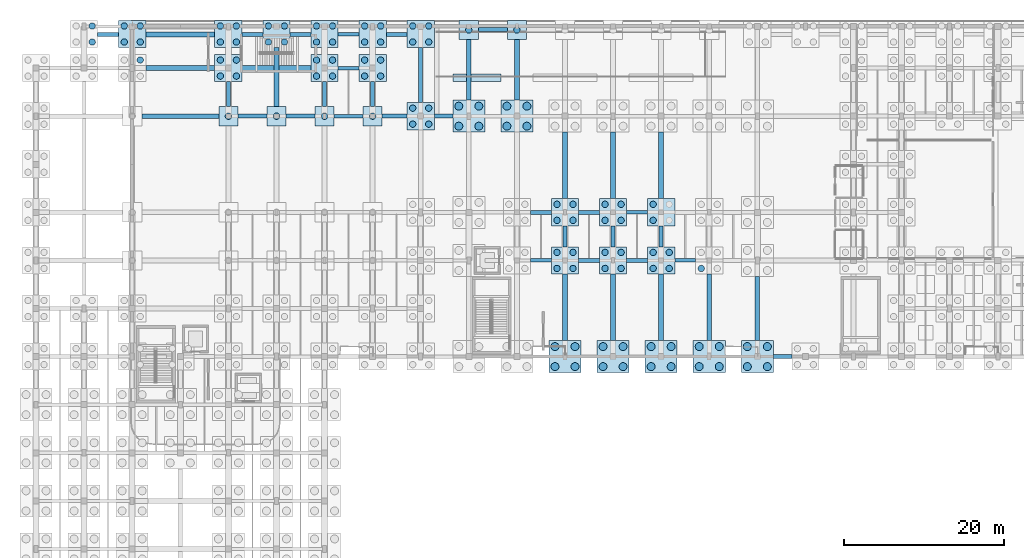
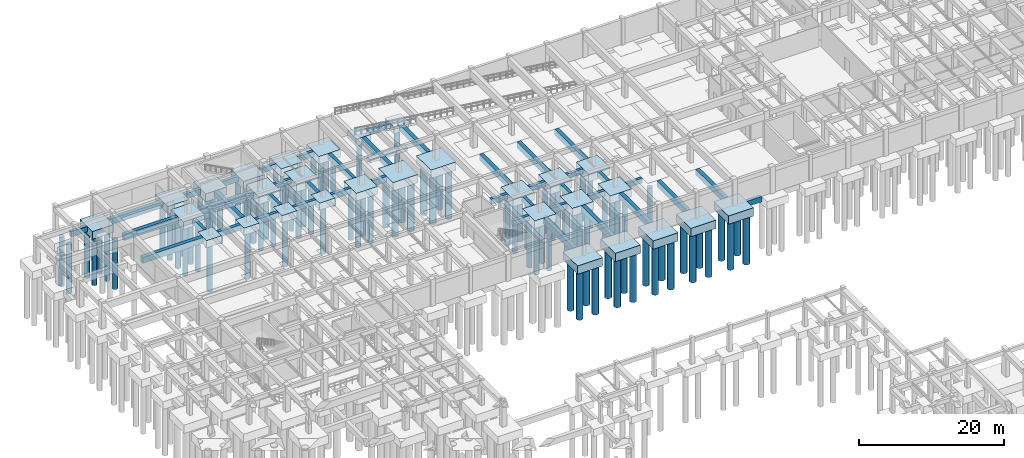
# One storey, part 6 of 32: 100 piles, 72 footings.
"""IFC4 building model written with IfcOpenShell, lengths in metres."""

from ifc_helpers import new_model, si_unit, direction, frame, origin, origin_2d, place, context, subcontext, project, spatial, rectangle, circle, extrude, material, material_profile, profile_set, type_object, element, save


model = new_model("IFC4")

# Units and contexts
model_context = context("Model", 3, precision=1e-05, world=origin(), true_north=direction((0.0, 1.0)))
body_context = subcontext(model_context, "Body", "Model", "MODEL_VIEW")
ifc_project = project(units=[si_unit("LENGTHUNIT", "METRE"), si_unit("AREAUNIT", "SQUARE_METRE"), si_unit("VOLUMEUNIT", "CUBIC_METRE"), si_unit("PLANEANGLEUNIT", "RADIAN"), si_unit("MASSUNIT", "GRAM", prefix="KILO")], contexts=[model_context])

# Site, building, storey
site_placement = place(None, origin())
site = spatial("IfcSite", under=ifc_project, at=site_placement, CompositionType="ELEMENT")
building_placement = place(site_placement, origin())
building = spatial("IfcBuilding", under=site, at=building_placement, Name="Varnakota Square Police Headquarters", CompositionType="ELEMENT")
storey_placement = place(building_placement, frame((0.0, 0.0, -4.5)))
storey = spatial("IfcBuildingStorey", under=building, at=storey_placement, Name="B1", CompositionType="ELEMENT", Elevation=-4.5)

# Footings
ifc_material_1 = material(Name="Concrete M40", Category="concrete")
ifc_material_profile_1 = material_profile(ifc_material_1, rectangle(XDim=0.5, YDim=0.89990234375, at=origin_2d()), Name="GB 500x900")
ifc_profile_set_1 = profile_set([ifc_material_profile_1], Name="Concrete M40")
footing_type_1 = type_object("IfcFootingType", Name="FT-GB1", PredefinedType="FOOTING_BEAM", material=ifc_profile_set_1)
footing_1_placement = place(storey_placement, frame((98.0, 69.0, -0.449951171875), z_axis=(1.0, 0.0, 0.0), x_axis=(0.0, 1.0, 0.0)))
element("IfcFooting", 1, at=footing_1_placement, inside=storey, type_object=footing_type_1, Name="Ground tie beam GB-0067", PredefinedType="FOOTING_BEAM", context=body_context, shape_type="SweptSolid", body=[
    extrude(rectangle(XDim=0.5, YDim=0.89990234375, at=origin_2d()), origin(), (0.0, 0.0, 1.0), 2.300048828125),
])
for number, where, z_axis, x_axis, name in (
    (2, (73.699951171875, 81.0, -0.449951171875), (1.0, 0.0, 0.0), (0.0, 1.0, 0.0), "Ground tie beam GB-0100"),
    (3, (79.699951171875, 81.0, -0.449951171875), (1.0, 0.0, 0.0), (0.0, 1.0, 0.0), "Ground tie beam GB-0101"),
    (4, (67.699951171875, 87.0, -0.449951171875), (1.0, 0.0, 0.0), (0.0, 1.0, 0.0), "Ground tie beam GB-0121"),
    (5, (73.699951171875, 87.0, -0.449951171875), (1.0, 0.0, 0.0), (0.0, 1.0, 0.0), "Ground tie beam GB-0122"),
):
    element("IfcFooting", number, at=place(storey_placement, frame(where, z_axis=z_axis, x_axis=x_axis)), inside=storey, type_object=footing_type_1, Name=name, PredefinedType="FOOTING_BEAM", context=body_context, shape_type="SweptSolid", body=[
        extrude(rectangle(XDim=0.5, YDim=0.89990234375, at=origin_2d()), origin(), (0.0, 0.0, 1.0), 2.60009765625),
    ])
for number, where, z_axis, x_axis, name in (
    (6, (31.199951171875, 99.0, -0.449951171875), (1.0, 0.0, 0.0), (0.0, 1.0, 0.0), "Ground tie beam GB-0139"),
    (7, (37.199951171875, 99.0, -0.449951171875), (1.0, 0.0, 0.0), (0.0, 1.0, 0.0), "Ground tie beam GB-0140"),
):
    element("IfcFooting", number, at=place(storey_placement, frame(where, z_axis=z_axis, x_axis=x_axis)), inside=storey, type_object=footing_type_1, Name=name, PredefinedType="FOOTING_BEAM", context=body_context, shape_type="SweptSolid", body=[
        extrude(rectangle(XDim=0.5, YDim=0.89990234375, at=origin_2d()), origin(), (0.0, 0.0, 1.0), 3.60009765625),
    ])
footing_2_placement = place(storey_placement, frame((49.199951171875, 99.0, -0.449951171875), z_axis=(1.0, 0.0, 0.0), x_axis=(0.0, 1.0, 0.0)))
element("IfcFooting", 8, at=footing_2_placement, inside=storey, type_object=footing_type_1, Name="Ground tie beam GB-0142", PredefinedType="FOOTING_BEAM", context=body_context, shape_type="SweptSolid", body=[
    extrude(rectangle(XDim=0.5, YDim=0.89990234375, at=origin_2d()), origin(), (0.0, 0.0, 1.0), 3.10009765625),
])
footing_3_placement = place(storey_placement, frame((55.699951171875, 99.0, -0.449951171875), z_axis=(1.0, 0.0, 0.0), x_axis=(0.0, 1.0, 0.0)))
element("IfcFooting", 9, at=footing_3_placement, inside=storey, type_object=footing_type_1, Name="Ground tie beam GB-0143", PredefinedType="FOOTING_BEAM", context=body_context, shape_type="SweptSolid", body=[
    extrude(rectangle(XDim=0.5, YDim=0.89990234375, at=origin_2d()), origin(), (0.0, 0.0, 1.0), 2.300048828125),
])
for number, where, z_axis, x_axis, name in (
    (10, (13.699951171875, 109.199951171875, -0.449951171875), (1.0, 0.0, 0.0), (0.0, 1.0, 0.0), "Ground tie beam GB-0164"),
    (11, (31.699951171875, 109.199951171875, -0.449951171875), (1.0, 0.0, 0.0), (0.0, 1.0, 0.0), "Ground tie beam GB-0166"),
    (12, (37.699951171875, 109.199951171875, -0.449951171875), (1.0, 0.0, 0.0), (0.0, 1.0, 0.0), "Ground tie beam GB-0167"),
    (13, (49.699951171875, 109.199951171875, -0.449951171875), (1.0, 0.0, 0.0), (0.0, 1.0, 0.0), "Ground tie beam GB-0169"),
):
    element("IfcFooting", number, at=place(storey_placement, frame(where, z_axis=z_axis, x_axis=x_axis)), inside=storey, type_object=footing_type_1, Name=name, PredefinedType="FOOTING_BEAM", context=body_context, shape_type="SweptSolid", body=[
        extrude(rectangle(XDim=0.5, YDim=0.89990234375, at=origin_2d()), origin(), (0.0, 0.0, 1.0), 2.60009765625),
    ])
footing_4_placement = place(storey_placement, frame((61.199951171875, 109.800048828125, -0.449951171875), z_axis=(1.0, 0.0, 0.0), x_axis=(0.0, 1.0, 0.0)))
element("IfcFooting", 14, at=footing_4_placement, inside=storey, type_object=footing_type_1, Name="Ground tie beam GB-0178", PredefinedType="FOOTING_BEAM", context=body_context, shape_type="SweptSolid", body=[
    extrude(rectangle(XDim=0.5, YDim=0.89990234375, at=origin_2d()), origin(), (0.0, 0.0, 1.0), 3.60009765625),
])
for number, where, z_axis, x_axis, name in (
    (15, (30.0, 100.199951171875, -0.449951171875), (0.0, 1.0, 0.0), (-1.0, 0.0, 0.0), "Ground tie beam GB-0217"),
    (16, (42.0, 100.199951171875, -0.449951171875), (0.0, 1.0, 0.0), (-1.0, 0.0, 0.0), "Ground tie beam GB-0235"),
    (17, (48.0, 100.199951171875, -0.449951171875), (0.0, 1.0, 0.0), (-1.0, 0.0, 0.0), "Ground tie beam GB-0243"),
):
    element("IfcFooting", number, at=place(storey_placement, frame(where, z_axis=z_axis, x_axis=x_axis)), inside=storey, type_object=footing_type_1, Name=name, PredefinedType="FOOTING_BEAM", context=body_context, shape_type="SweptSolid", body=[
        extrude(rectangle(XDim=0.5, YDim=0.89990234375, at=origin_2d()), origin(), (0.0, 0.0, 1.0), 3.10009765625),
    ])
footing_5_placement = place(storey_placement, frame((54.0, 100.699951171875, -0.449951171875), z_axis=(0.0, 1.0, 0.0), x_axis=(-1.0, 0.0, 0.0)))
element("IfcFooting", 18, at=footing_5_placement, inside=storey, type_object=footing_type_1, Name="Ground tie beam GB-0254", PredefinedType="FOOTING_BEAM", context=body_context, shape_type="SweptSolid", body=[
    extrude(rectangle(XDim=0.5, YDim=0.89990234375, at=origin_2d()), origin(), (0.0, 0.0, 1.0), 6.85009765625),
])
for number, where, z_axis, x_axis, name in (
    (19, (72.0, 82.699951171875, -0.449951171875), (0.0, 1.0, 0.0), (-1.0, 0.0, 0.0), "Ground tie beam GB-0268"),
    (20, (78.0, 82.699951171875, -0.449951171875), (0.0, 1.0, 0.0), (-1.0, 0.0, 0.0), "Ground tie beam GB-0273"),
    (21, (84.0, 82.699951171875, -0.449951171875), (0.0, 1.0, 0.0), (-1.0, 0.0, 0.0), "Ground tie beam GB-0278"),
):
    element("IfcFooting", number, at=place(storey_placement, frame(where, z_axis=z_axis, x_axis=x_axis)), inside=storey, type_object=footing_type_1, Name=name, PredefinedType="FOOTING_BEAM", context=body_context, shape_type="SweptSolid", body=[
        extrude(rectangle(XDim=0.5, YDim=0.89990234375, at=origin_2d()), origin(), (0.0, 0.0, 1.0), 2.60009765625),
    ])
ifc_material_profile_2 = material_profile(ifc_material_1, rectangle(XDim=0.60009765625, YDim=1.0, at=origin_2d()), Name="GB 600x1000")
ifc_profile_set_2 = profile_set([ifc_material_profile_2], Name="Concrete M40")
footing_type_2 = type_object("IfcFootingType", Name="FT-GB2", PredefinedType="FOOTING_BEAM", material=ifc_profile_set_2)
footing_6_placement = place(storey_placement, frame((19.199951171875, 99.0, -0.5), z_axis=(1.0, 0.0, 0.0), x_axis=(0.0, 1.0, 0.0)))
element("IfcFooting", 22, at=footing_6_placement, inside=storey, type_object=footing_type_2, Name="Ground tie beam GB-0138", PredefinedType="FOOTING_BEAM", context=body_context, shape_type="SweptSolid", body=[
    extrude(rectangle(XDim=0.60009765625, YDim=1.0, at=origin_2d()), origin(), (0.0, 0.0, 1.0), 9.60009765625),
])
for number, where, z_axis, x_axis, name in (
    (23, (19.699951171875, 105.0, -0.5), (1.0, 0.0, 0.0), (0.0, 1.0, 0.0), "Ground tie beam GB-0154"),
    (24, (31.699951171875, 105.0, -0.5), (1.0, 0.0, 0.0), (0.0, 1.0, 0.0), "Ground tie beam GB-0155"),
    (25, (19.699951171875, 109.199951171875, -0.5), (1.0, 0.0, 0.0), (0.0, 1.0, 0.0), "Ground tie beam GB-0165"),
):
    element("IfcFooting", number, at=place(storey_placement, frame(where, z_axis=z_axis, x_axis=x_axis)), inside=storey, type_object=footing_type_2, Name=name, PredefinedType="FOOTING_BEAM", context=body_context, shape_type="SweptSolid", body=[
        extrude(rectangle(XDim=0.60009765625, YDim=1.0, at=origin_2d()), origin(), (0.0, 0.0, 1.0), 8.60009765625),
    ])
footing_7_placement = place(storey_placement, frame((36.0, 100.199951171875, -0.5), z_axis=(0.0, 1.0, 0.0), x_axis=(-1.0, 0.0, 0.0)))
element("IfcFooting", 26, at=footing_7_placement, inside=storey, type_object=footing_type_2, Name="Ground tie beam GB-0226", PredefinedType="FOOTING_BEAM", context=body_context, shape_type="SweptSolid", body=[
    extrude(rectangle(XDim=0.60009765625, YDim=1.0, at=origin_2d()), origin(), (0.0, 0.0, 1.0), 7.35009765625),
])
for number, where, z_axis, x_axis, name in (
    (27, (60.0, 101.0, -0.5), (0.0, 1.0, 0.0), (-1.0, 0.0, 0.0), "Ground tie beam GB-0260"),
    (28, (66.0, 101.0, -0.5), (0.0, 1.0, 0.0), (-1.0, 0.0, 0.0), "Ground tie beam GB-0265"),
):
    element("IfcFooting", number, at=place(storey_placement, frame(where, z_axis=z_axis, x_axis=x_axis)), inside=storey, type_object=footing_type_2, Name=name, PredefinedType="FOOTING_BEAM", context=body_context, shape_type="SweptSolid", body=[
        extrude(rectangle(XDim=0.60009765625, YDim=1.0, at=origin_2d()), origin(), (0.0, 0.0, 1.0), 7.550048828125),
    ])
for number, where, z_axis, x_axis, name in (
    (29, (72.0, 71.0, -0.5), (0.0, 1.0, 0.0), (-1.0, 0.0, 0.0), "Ground tie beam GB-0267"),
    (30, (72.0, 88.699951171875, -0.5), (0.0, 1.0, 0.0), (-1.0, 0.0, 0.0), "Ground tie beam GB-0269"),
    (31, (78.0, 71.0, -0.5), (0.0, 1.0, 0.0), (-1.0, 0.0, 0.0), "Ground tie beam GB-0272"),
    (32, (78.0, 88.699951171875, -0.5), (0.0, 1.0, 0.0), (-1.0, 0.0, 0.0), "Ground tie beam GB-0274"),
    (33, (84.0, 71.0, -0.5), (0.0, 1.0, 0.0), (-1.0, 0.0, 0.0), "Ground tie beam GB-0277"),
    (34, (84.0, 88.699951171875, -0.5), (0.0, 1.0, 0.0), (-1.0, 0.0, 0.0), "Ground tie beam GB-0279"),
    (35, (90.0, 71.0, -0.5), (0.0, 1.0, 0.0), (-1.0, 0.0, 0.0), "Ground tie beam GB-0284"),
):
    element("IfcFooting", number, at=place(storey_placement, frame(where, z_axis=z_axis, x_axis=x_axis)), inside=storey, type_object=footing_type_2, Name=name, PredefinedType="FOOTING_BEAM", context=body_context, shape_type="SweptSolid", body=[
        extrude(rectangle(XDim=0.60009765625, YDim=1.0, at=origin_2d()), origin(), (0.0, 0.0, 1.0), 8.300048828125),
    ])
footing_8_placement = place(storey_placement, frame((96.0, 71.0, -0.5), z_axis=(0.0, 1.0, 0.0), x_axis=(-1.0, 0.0, 0.0)))
element("IfcFooting", 36, at=footing_8_placement, inside=storey, type_object=footing_type_2, Name="Ground tie beam GB-0294", PredefinedType="FOOTING_BEAM", context=body_context, shape_type="SweptSolid", body=[
    extrude(rectangle(XDim=0.60009765625, YDim=1.0, at=origin_2d()), origin(), (0.0, 0.0, 1.0), 8.0),
])
ifc_material_profile_3 = material_profile(ifc_material_1, rectangle(XDim=0.449951171875, YDim=0.800048828125, at=origin_2d()), Name="GB 450x800")
ifc_profile_set_3 = profile_set([ifc_material_profile_3], Name="Concrete M40")
footing_type_3 = type_object("IfcFootingType", Name="FT-GB3", PredefinedType="FOOTING_BEAM", material=ifc_profile_set_3)
for number, where, z_axis, x_axis, name in (
    (37, (67.699951171875, 81.0, -0.39990234375), (1.0, 0.0, 0.0), (0.0, 1.0, 0.0), "Ground tie beam GB-0099"),
    (38, (85.699951171875, 81.0, -0.39990234375), (1.0, 0.0, 0.0), (0.0, 1.0, 0.0), "Ground tie beam GB-0102"),
    (39, (79.699951171875, 87.0, -0.39990234375), (1.0, 0.0, 0.0), (0.0, 1.0, 0.0), "Ground tie beam GB-0123"),
):
    element("IfcFooting", number, at=place(storey_placement, frame(where, z_axis=z_axis, x_axis=x_axis)), inside=storey, type_object=footing_type_3, Name=name, PredefinedType="FOOTING_BEAM", context=body_context, shape_type="SweptSolid", body=[
        extrude(rectangle(XDim=0.449951171875, YDim=0.800048828125, at=origin_2d()), origin(), (0.0, 0.0, 1.0), 2.60009765625),
    ])
footing_9_placement = place(storey_placement, frame((43.199951171875, 99.0, -0.39990234375), z_axis=(1.0, 0.0, 0.0), x_axis=(0.0, 1.0, 0.0)))
element("IfcFooting", 40, at=footing_9_placement, inside=storey, type_object=footing_type_3, Name="Ground tie beam GB-0141", PredefinedType="FOOTING_BEAM", context=body_context, shape_type="SweptSolid", body=[
    extrude(rectangle(XDim=0.449951171875, YDim=0.800048828125, at=origin_2d()), origin(), (0.0, 0.0, 1.0), 3.60009765625),
])
for number, where, z_axis, x_axis, name in (
    (41, (43.699951171875, 105.0, -0.39990234375), (1.0, 0.0, 0.0), (0.0, 1.0, 0.0), "Ground tie beam GB-0156"),
    (42, (43.699951171875, 109.199951171875, -0.39990234375), (1.0, 0.0, 0.0), (0.0, 1.0, 0.0), "Ground tie beam GB-0168"),
):
    element("IfcFooting", number, at=place(storey_placement, frame(where, z_axis=z_axis, x_axis=x_axis)), inside=storey, type_object=footing_type_3, Name=name, PredefinedType="FOOTING_BEAM", context=body_context, shape_type="SweptSolid", body=[
        extrude(rectangle(XDim=0.449951171875, YDim=0.800048828125, at=origin_2d()), origin(), (0.0, 0.0, 1.0), 2.60009765625),
    ])
footing_type_4 = type_object("IfcFootingType", Name="FT-PC1", PredefinedType="PILE_CAP", material=ifc_material_1)
for number, where, z_axis, x_axis, name in (
    (43, (30.0, 99.0, -1.2001953125), (0.0, 0.0, 1.0), (1.0, 0.0, 0.0), "Pile cap CAP-X0300-Y0990"),
    (44, (36.0, 99.0, -1.2001953125), (0.0, 0.0, 1.0), (1.0, 0.0, 0.0), "Pile cap CAP-X0360-Y0990"),
    (45, (42.0, 99.0, -1.2001953125), (0.0, 0.0, 1.0), (1.0, 0.0, 0.0), "Pile cap CAP-X0420-Y0990"),
    (46, (48.0, 99.0, -1.2001953125), (0.0, 0.0, 1.0), (1.0, 0.0, 0.0), "Pile cap CAP-X0480-Y0990"),
    (47, (60.0, 109.75, -1.2001953125), (0.0, 0.0, 1.0), (1.0, 0.0, 0.0), "Pile cap CAP-X0600-Y1102"),
    (48, (66.0, 109.75, -1.2001953125), (0.0, 0.0, 1.0), (1.0, 0.0, 0.0), "Pile cap CAP-X0660-Y1102"),
):
    element("IfcFooting", number, at=place(storey_placement, frame(where, z_axis=z_axis, x_axis=x_axis)), inside=storey, type_object=footing_type_4, Name=name, PredefinedType="PILE_CAP", context=body_context, shape_type="SweptSolid", body=[
        extrude(rectangle(XDim=2.39990234375, YDim=2.39990234375, at=origin_2d()), origin(), (0.0, 0.0, 1.0), 1.199951171875),
    ])
footing_type_5 = type_object("IfcFootingType", Name="FT-PC4", PredefinedType="PILE_CAP", material=ifc_material_1)
for number, where, z_axis, x_axis, name in (
    (49, (18.0, 109.25, -1.2998046875), (0.0, 0.0, 1.0), (1.0, 0.0, 0.0), "Pile cap CAP-X0180-Y1102"),
    (50, (30.0, 105.0, -1.2998046875), (0.0, 0.0, 1.0), (1.0, 0.0, 0.0), "Pile cap CAP-X0300-Y1050"),
    (51, (30.0, 109.25, -1.2998046875), (0.0, 0.0, 1.0), (1.0, 0.0, 0.0), "Pile cap CAP-X0300-Y1102"),
    (52, (36.0, 109.25, -1.2998046875), (0.0, 0.0, 1.0), (1.0, 0.0, 0.0), "Pile cap CAP-X0360-Y1102"),
    (53, (42.0, 105.0, -1.2998046875), (0.0, 0.0, 1.0), (1.0, 0.0, 0.0), "Pile cap CAP-X0420-Y1050"),
    (54, (42.0, 109.25, -1.2998046875), (0.0, 0.0, 1.0), (1.0, 0.0, 0.0), "Pile cap CAP-X0420-Y1102"),
    (55, (48.0, 105.0, -1.2998046875), (0.0, 0.0, 1.0), (1.0, 0.0, 0.0), "Pile cap CAP-X0480-Y1050"),
    (56, (48.0, 109.25, -1.2998046875), (0.0, 0.0, 1.0), (1.0, 0.0, 0.0), "Pile cap CAP-X0480-Y1102"),
    (57, (54.0, 99.0, -1.2998046875), (0.0, 0.0, 1.0), (1.0, 0.0, 0.0), "Pile cap CAP-X0540-Y0990"),
    (58, (54.0, 109.25, -1.2998046875), (0.0, 0.0, 1.0), (1.0, 0.0, 0.0), "Pile cap CAP-X0540-Y1102"),
    (59, (72.0, 81.0, -1.2998046875), (0.0, 0.0, 1.0), (1.0, 0.0, 0.0), "Pile cap CAP-X0720-Y0810"),
    (60, (72.0, 87.0, -1.2998046875), (0.0, 0.0, 1.0), (1.0, 0.0, 0.0), "Pile cap CAP-X0720-Y0870"),
    (61, (78.0, 81.0, -1.2998046875), (0.0, 0.0, 1.0), (1.0, 0.0, 0.0), "Pile cap CAP-X0780-Y0810"),
    (62, (78.0, 87.0, -1.2998046875), (0.0, 0.0, 1.0), (1.0, 0.0, 0.0), "Pile cap CAP-X0780-Y0870"),
    (63, (84.0, 81.0, -1.2998046875), (0.0, 0.0, 1.0), (1.0, 0.0, 0.0), "Pile cap CAP-X0840-Y0810"),
    (64, (84.0, 87.0, -1.2998046875), (0.0, 0.0, 1.0), (1.0, 0.0, 0.0), "Pile cap CAP-X0840-Y0870"),
):
    element("IfcFooting", number, at=place(storey_placement, frame(where, z_axis=z_axis, x_axis=x_axis)), inside=storey, type_object=footing_type_5, Name=name, PredefinedType="PILE_CAP", context=body_context, shape_type="SweptSolid", body=[
        extrude(rectangle(XDim=3.39990234375, YDim=3.39990234375, at=origin_2d()), origin(), (0.0, 0.0, 1.0), 1.300048828125),
    ])
ifc_material_2 = material(Name="Concrete M50", Category="concrete")
footing_type_6 = type_object("IfcFootingType", Name="FT-PC6", PredefinedType="PILE_CAP", material=ifc_material_2)
for number, where, z_axis, x_axis, name in (
    (65, (60.0, 99.0, -1.39990234375), (0.0, 0.0, 1.0), (1.0, 0.0, 0.0), "Pile cap CAP-X0600-Y0990"),
    (66, (66.0, 99.0, -1.39990234375), (0.0, 0.0, 1.0), (1.0, 0.0, 0.0), "Pile cap CAP-X0660-Y0990"),
    (67, (72.0, 69.0, -1.39990234375), (0.0, 0.0, 1.0), (1.0, 0.0, 0.0), "Pile cap CAP-X0720-Y0690"),
    (68, (78.0, 69.0, -1.39990234375), (0.0, 0.0, 1.0), (1.0, 0.0, 0.0), "Pile cap CAP-X0780-Y0690"),
    (69, (84.0, 69.0, -1.39990234375), (0.0, 0.0, 1.0), (1.0, 0.0, 0.0), "Pile cap CAP-X0840-Y0690"),
    (70, (90.0, 69.0, -1.39990234375), (0.0, 0.0, 1.0), (1.0, 0.0, 0.0), "Pile cap CAP-X0900-Y0690"),
    (71, (96.0, 69.0, -1.39990234375), (0.0, 0.0, 1.0), (1.0, 0.0, 0.0), "Pile cap CAP-X0960-Y0690"),
):
    element("IfcFooting", number, at=place(storey_placement, frame(where, z_axis=z_axis, x_axis=x_axis)), inside=storey, type_object=footing_type_6, Name=name, PredefinedType="PILE_CAP", context=body_context, shape_type="SweptSolid", body=[
        extrude(rectangle(XDim=4.0, YDim=4.0, at=origin_2d()), origin(), (0.0, 0.0, 1.0), 1.39990234375),
    ])
ifc_material_profile_4 = material_profile(ifc_material_1, rectangle(XDim=0.89990234375, YDim=0.60009765625, at=origin_2d()), Name="SF 900x600")
ifc_profile_set_4 = profile_set([ifc_material_profile_4], Name="Concrete M40")
footing_type_7 = type_object("IfcFootingType", Name="FT-SF1", PredefinedType="STRIP_FOOTING", material=ifc_profile_set_4)
footing_10_placement = place(storey_placement, frame((58.0, 103.800048828125, -0.300048828125), z_axis=(1.0, 0.0, 0.0), x_axis=(0.0, 1.0, 0.0)))
element("IfcFooting", 72, at=footing_10_placement, inside=storey, type_object=footing_type_7, Name="Strip footing SF-01", PredefinedType="STRIP_FOOTING", context=body_context, shape_type="SweptSolid", body=[
    extrude(rectangle(XDim=0.89990234375, YDim=0.60009765625, at=origin_2d()), origin(), (0.0, 0.0, 1.0), 6.0),
])

# Piles
ifc_material_profile_5 = material_profile(ifc_material_2, circle(Radius=0.5, at=origin_2d()), Name="BORED PILE 1000")
ifc_profile_set_5 = profile_set([ifc_material_profile_5], Name="Concrete M50")
pile_type_1 = type_object("IfcPileType", Name="PILE-D1000", PredefinedType="BORED", material=ifc_profile_set_5)
for number, where, z_axis, x_axis, name in (
    (73, (58.75, 97.75, -1.300048828125), (0.0, 0.0, -1.0), (1.0, 0.0, 0.0), "Bored pile PLG-0512"),
    (74, (58.75, 100.25, -1.300048828125), (0.0, 0.0, -1.0), (1.0, 0.0, 0.0), "Bored pile PLG-0513"),
    (75, (61.25, 97.75, -1.300048828125), (0.0, 0.0, -1.0), (1.0, 0.0, 0.0), "Bored pile PLG-0514"),
    (76, (61.25, 100.25, -1.300048828125), (0.0, 0.0, -1.0), (1.0, 0.0, 0.0), "Bored pile PLG-0515"),
    (77, (64.75, 97.75, -1.300048828125), (0.0, 0.0, -1.0), (1.0, 0.0, 0.0), "Bored pile PLG-0535"),
    (78, (64.75, 100.25, -1.300048828125), (0.0, 0.0, -1.0), (1.0, 0.0, 0.0), "Bored pile PLG-0536"),
    (79, (67.25, 97.75, -1.300048828125), (0.0, 0.0, -1.0), (1.0, 0.0, 0.0), "Bored pile PLG-0537"),
    (80, (67.25, 100.25, -1.300048828125), (0.0, 0.0, -1.0), (1.0, 0.0, 0.0), "Bored pile PLG-0538"),
    (81, (70.75, 67.75, -1.300048828125), (0.0, 0.0, -1.0), (1.0, 0.0, 0.0), "Bored pile PLG-0546"),
    (82, (70.75, 70.25, -1.300048828125), (0.0, 0.0, -1.0), (1.0, 0.0, 0.0), "Bored pile PLG-0547"),
    (83, (73.25, 67.75, -1.300048828125), (0.0, 0.0, -1.0), (1.0, 0.0, 0.0), "Bored pile PLG-0548"),
    (84, (73.25, 70.25, -1.300048828125), (0.0, 0.0, -1.0), (1.0, 0.0, 0.0), "Bored pile PLG-0549"),
    (85, (76.75, 67.75, -1.300048828125), (0.0, 0.0, -1.0), (1.0, 0.0, 0.0), "Bored pile PLG-0569"),
    (86, (76.75, 70.25, -1.300048828125), (0.0, 0.0, -1.0), (1.0, 0.0, 0.0), "Bored pile PLG-0570"),
    (87, (79.25, 67.75, -1.300048828125), (0.0, 0.0, -1.0), (1.0, 0.0, 0.0), "Bored pile PLG-0571"),
    (88, (79.25, 70.25, -1.300048828125), (0.0, 0.0, -1.0), (1.0, 0.0, 0.0), "Bored pile PLG-0572"),
    (89, (82.75, 67.75, -1.300048828125), (0.0, 0.0, -1.0), (1.0, 0.0, 0.0), "Bored pile PLG-0592"),
    (90, (82.75, 70.25, -1.300048828125), (0.0, 0.0, -1.0), (1.0, 0.0, 0.0), "Bored pile PLG-0593"),
    (91, (85.25, 67.75, -1.300048828125), (0.0, 0.0, -1.0), (1.0, 0.0, 0.0), "Bored pile PLG-0594"),
    (92, (85.25, 70.25, -1.300048828125), (0.0, 0.0, -1.0), (1.0, 0.0, 0.0), "Bored pile PLG-0595"),
    (93, (88.75, 67.75, -1.300048828125), (0.0, 0.0, -1.0), (1.0, 0.0, 0.0), "Bored pile PLG-0619"),
    (94, (88.75, 70.25, -1.300048828125), (0.0, 0.0, -1.0), (1.0, 0.0, 0.0), "Bored pile PLG-0620"),
    (95, (91.25, 67.75, -1.300048828125), (0.0, 0.0, -1.0), (1.0, 0.0, 0.0), "Bored pile PLG-0621"),
    (96, (91.25, 70.25, -1.300048828125), (0.0, 0.0, -1.0), (1.0, 0.0, 0.0), "Bored pile PLG-0622"),
    (97, (94.75, 67.75, -1.300048828125), (0.0, 0.0, -1.0), (1.0, 0.0, 0.0), "Bored pile PLG-0650"),
    (98, (94.75, 70.25, -1.300048828125), (0.0, 0.0, -1.0), (1.0, 0.0, 0.0), "Bored pile PLG-0651"),
    (99, (97.25, 67.75, -1.300048828125), (0.0, 0.0, -1.0), (1.0, 0.0, 0.0), "Bored pile PLG-0652"),
    (100, (97.25, 70.25, -1.300048828125), (0.0, 0.0, -1.0), (1.0, 0.0, 0.0), "Bored pile PLG-0653"),
):
    element("IfcPile", number, at=place(storey_placement, frame(where, z_axis=z_axis, x_axis=x_axis)), inside=storey, type_object=pile_type_1, Name=name, PredefinedType="BORED", context=body_context, shape_type="SweptSolid", body=[
        extrude(circle(Radius=0.5, at=origin_2d()), origin(), (0.0, 0.0, 1.0), 8.199951171875),
    ])
ifc_material_profile_6 = material_profile(ifc_material_1, circle(Radius=0.39990234375, at=origin_2d()), Name="BORED PILE 800")
ifc_profile_set_6 = profile_set([ifc_material_profile_6], Name="Concrete M40")
pile_type_2 = type_object("IfcPileType", Name="PILE-D800", PredefinedType="BORED", material=ifc_profile_set_6)
for number, where, z_axis, x_axis, name in (
    (101, (13.0, 108.25, -1.199951171875), (0.0, 0.0, -1.0), (1.0, 0.0, 0.0), "Bored pile PLG-0119"),
    (102, (13.0, 110.25, -1.199951171875), (0.0, 0.0, -1.0), (1.0, 0.0, 0.0), "Bored pile PLG-0120"),
    (103, (19.0, 106.0, -1.199951171875), (0.0, 0.0, -1.0), (1.0, 0.0, 0.0), "Bored pile PLG-0179"),
    (104, (17.0, 108.25, -1.199951171875), (0.0, 0.0, -1.0), (1.0, 0.0, 0.0), "Bored pile PLG-0180"),
    (105, (17.0, 110.25, -1.199951171875), (0.0, 0.0, -1.0), (1.0, 0.0, 0.0), "Bored pile PLG-0181"),
    (106, (19.0, 108.25, -1.199951171875), (0.0, 0.0, -1.0), (1.0, 0.0, 0.0), "Bored pile PLG-0182"),
    (107, (19.0, 110.25, -1.199951171875), (0.0, 0.0, -1.0), (1.0, 0.0, 0.0), "Bored pile PLG-0183"),
):
    element("IfcPile", number, at=place(storey_placement, frame(where, z_axis=z_axis, x_axis=x_axis)), inside=storey, type_object=pile_type_2, Name=name, PredefinedType="BORED", context=body_context, shape_type="SweptSolid", body=[
        extrude(circle(Radius=0.39990234375, at=origin_2d()), origin(), (0.0, 0.0, 1.0), 8.300048828125),
    ])
pile_1_placement = place(storey_placement, frame((30.0, 99.0, -1.10009765625), z_axis=(0.0, 0.0, -1.0), x_axis=(1.0, 0.0, 0.0)))
element("IfcPile", 108, at=pile_1_placement, inside=storey, type_object=pile_type_2, Name="Bored pile PLG-0278", PredefinedType="BORED", context=body_context, shape_type="SweptSolid", body=[
    extrude(circle(Radius=0.39990234375, at=origin_2d()), origin(), (0.0, 0.0, 1.0), 8.39990234375),
])
for number, where, z_axis, x_axis, name in (
    (109, (29.0, 104.0, -1.199951171875), (0.0, 0.0, -1.0), (1.0, 0.0, 0.0), "Bored pile PLG-0279"),
    (110, (29.0, 106.0, -1.199951171875), (0.0, 0.0, -1.0), (1.0, 0.0, 0.0), "Bored pile PLG-0280"),
    (111, (31.0, 104.0, -1.199951171875), (0.0, 0.0, -1.0), (1.0, 0.0, 0.0), "Bored pile PLG-0281"),
    (112, (31.0, 106.0, -1.199951171875), (0.0, 0.0, -1.0), (1.0, 0.0, 0.0), "Bored pile PLG-0282"),
    (113, (29.0, 108.25, -1.199951171875), (0.0, 0.0, -1.0), (1.0, 0.0, 0.0), "Bored pile PLG-0283"),
    (114, (29.0, 110.25, -1.199951171875), (0.0, 0.0, -1.0), (1.0, 0.0, 0.0), "Bored pile PLG-0284"),
    (115, (31.0, 108.25, -1.199951171875), (0.0, 0.0, -1.0), (1.0, 0.0, 0.0), "Bored pile PLG-0285"),
    (116, (31.0, 110.25, -1.199951171875), (0.0, 0.0, -1.0), (1.0, 0.0, 0.0), "Bored pile PLG-0286"),
):
    element("IfcPile", number, at=place(storey_placement, frame(where, z_axis=z_axis, x_axis=x_axis)), inside=storey, type_object=pile_type_2, Name=name, PredefinedType="BORED", context=body_context, shape_type="SweptSolid", body=[
        extrude(circle(Radius=0.39990234375, at=origin_2d()), origin(), (0.0, 0.0, 1.0), 8.300048828125),
    ])
pile_2_placement = place(storey_placement, frame((36.0, 99.0, -1.10009765625), z_axis=(0.0, 0.0, -1.0), x_axis=(1.0, 0.0, 0.0)))
element("IfcPile", 117, at=pile_2_placement, inside=storey, type_object=pile_type_2, Name="Bored pile PLG-0341", PredefinedType="BORED", context=body_context, shape_type="SweptSolid", body=[
    extrude(circle(Radius=0.39990234375, at=origin_2d()), origin(), (0.0, 0.0, 1.0), 8.39990234375),
])
for number, where, z_axis, x_axis, name in (
    (118, (35.0, 108.25, -1.199951171875), (0.0, 0.0, -1.0), (1.0, 0.0, 0.0), "Bored pile PLG-0342"),
    (119, (35.0, 110.25, -1.199951171875), (0.0, 0.0, -1.0), (1.0, 0.0, 0.0), "Bored pile PLG-0343"),
    (120, (37.0, 108.25, -1.199951171875), (0.0, 0.0, -1.0), (1.0, 0.0, 0.0), "Bored pile PLG-0344"),
    (121, (37.0, 110.25, -1.199951171875), (0.0, 0.0, -1.0), (1.0, 0.0, 0.0), "Bored pile PLG-0345"),
):
    element("IfcPile", number, at=place(storey_placement, frame(where, z_axis=z_axis, x_axis=x_axis)), inside=storey, type_object=pile_type_2, Name=name, PredefinedType="BORED", context=body_context, shape_type="SweptSolid", body=[
        extrude(circle(Radius=0.39990234375, at=origin_2d()), origin(), (0.0, 0.0, 1.0), 8.300048828125),
    ])
pile_3_placement = place(storey_placement, frame((42.0, 99.0, -1.10009765625), z_axis=(0.0, 0.0, -1.0), x_axis=(1.0, 0.0, 0.0)))
element("IfcPile", 122, at=pile_3_placement, inside=storey, type_object=pile_type_2, Name="Bored pile PLG-0400", PredefinedType="BORED", context=body_context, shape_type="SweptSolid", body=[
    extrude(circle(Radius=0.39990234375, at=origin_2d()), origin(), (0.0, 0.0, 1.0), 8.39990234375),
])
for number, where, z_axis, x_axis, name in (
    (123, (41.0, 104.0, -1.199951171875), (0.0, 0.0, -1.0), (1.0, 0.0, 0.0), "Bored pile PLG-0401"),
    (124, (41.0, 106.0, -1.199951171875), (0.0, 0.0, -1.0), (1.0, 0.0, 0.0), "Bored pile PLG-0402"),
    (125, (43.0, 104.0, -1.199951171875), (0.0, 0.0, -1.0), (1.0, 0.0, 0.0), "Bored pile PLG-0403"),
    (126, (43.0, 106.0, -1.199951171875), (0.0, 0.0, -1.0), (1.0, 0.0, 0.0), "Bored pile PLG-0404"),
    (127, (41.0, 108.25, -1.199951171875), (0.0, 0.0, -1.0), (1.0, 0.0, 0.0), "Bored pile PLG-0405"),
    (128, (41.0, 110.25, -1.199951171875), (0.0, 0.0, -1.0), (1.0, 0.0, 0.0), "Bored pile PLG-0406"),
    (129, (43.0, 108.25, -1.199951171875), (0.0, 0.0, -1.0), (1.0, 0.0, 0.0), "Bored pile PLG-0407"),
    (130, (43.0, 110.25, -1.199951171875), (0.0, 0.0, -1.0), (1.0, 0.0, 0.0), "Bored pile PLG-0408"),
):
    element("IfcPile", number, at=place(storey_placement, frame(where, z_axis=z_axis, x_axis=x_axis)), inside=storey, type_object=pile_type_2, Name=name, PredefinedType="BORED", context=body_context, shape_type="SweptSolid", body=[
        extrude(circle(Radius=0.39990234375, at=origin_2d()), origin(), (0.0, 0.0, 1.0), 8.300048828125),
    ])
pile_4_placement = place(storey_placement, frame((48.0, 99.0, -1.10009765625), z_axis=(0.0, 0.0, -1.0), x_axis=(1.0, 0.0, 0.0)))
element("IfcPile", 131, at=pile_4_placement, inside=storey, type_object=pile_type_2, Name="Bored pile PLG-0435", PredefinedType="BORED", context=body_context, shape_type="SweptSolid", body=[
    extrude(circle(Radius=0.39990234375, at=origin_2d()), origin(), (0.0, 0.0, 1.0), 8.39990234375),
])
for number, where, z_axis, x_axis, name in (
    (132, (47.0, 104.0, -1.199951171875), (0.0, 0.0, -1.0), (1.0, 0.0, 0.0), "Bored pile PLG-0436"),
    (133, (47.0, 106.0, -1.199951171875), (0.0, 0.0, -1.0), (1.0, 0.0, 0.0), "Bored pile PLG-0437"),
    (134, (49.0, 104.0, -1.199951171875), (0.0, 0.0, -1.0), (1.0, 0.0, 0.0), "Bored pile PLG-0438"),
    (135, (49.0, 106.0, -1.199951171875), (0.0, 0.0, -1.0), (1.0, 0.0, 0.0), "Bored pile PLG-0439"),
    (136, (47.0, 108.25, -1.199951171875), (0.0, 0.0, -1.0), (1.0, 0.0, 0.0), "Bored pile PLG-0440"),
    (137, (47.0, 110.25, -1.199951171875), (0.0, 0.0, -1.0), (1.0, 0.0, 0.0), "Bored pile PLG-0441"),
    (138, (49.0, 108.25, -1.199951171875), (0.0, 0.0, -1.0), (1.0, 0.0, 0.0), "Bored pile PLG-0442"),
    (139, (49.0, 110.25, -1.199951171875), (0.0, 0.0, -1.0), (1.0, 0.0, 0.0), "Bored pile PLG-0443"),
    (140, (53.0, 98.0, -1.199951171875), (0.0, 0.0, -1.0), (1.0, 0.0, 0.0), "Bored pile PLG-0482"),
    (141, (53.0, 100.0, -1.199951171875), (0.0, 0.0, -1.0), (1.0, 0.0, 0.0), "Bored pile PLG-0483"),
    (142, (55.0, 98.0, -1.199951171875), (0.0, 0.0, -1.0), (1.0, 0.0, 0.0), "Bored pile PLG-0484"),
    (143, (55.0, 100.0, -1.199951171875), (0.0, 0.0, -1.0), (1.0, 0.0, 0.0), "Bored pile PLG-0485"),
    (144, (53.0, 108.25, -1.199951171875), (0.0, 0.0, -1.0), (1.0, 0.0, 0.0), "Bored pile PLG-0486"),
    (145, (53.0, 110.25, -1.199951171875), (0.0, 0.0, -1.0), (1.0, 0.0, 0.0), "Bored pile PLG-0487"),
    (146, (55.0, 108.25, -1.199951171875), (0.0, 0.0, -1.0), (1.0, 0.0, 0.0), "Bored pile PLG-0488"),
    (147, (55.0, 110.25, -1.199951171875), (0.0, 0.0, -1.0), (1.0, 0.0, 0.0), "Bored pile PLG-0489"),
):
    element("IfcPile", number, at=place(storey_placement, frame(where, z_axis=z_axis, x_axis=x_axis)), inside=storey, type_object=pile_type_2, Name=name, PredefinedType="BORED", context=body_context, shape_type="SweptSolid", body=[
        extrude(circle(Radius=0.39990234375, at=origin_2d()), origin(), (0.0, 0.0, 1.0), 8.300048828125),
    ])
for number, where, z_axis, x_axis, name in (
    (148, (60.0, 109.75, -1.10009765625), (0.0, 0.0, -1.0), (1.0, 0.0, 0.0), "Bored pile PLG-0516"),
    (149, (66.0, 109.75, -1.10009765625), (0.0, 0.0, -1.0), (1.0, 0.0, 0.0), "Bored pile PLG-0539"),
):
    element("IfcPile", number, at=place(storey_placement, frame(where, z_axis=z_axis, x_axis=x_axis)), inside=storey, type_object=pile_type_2, Name=name, PredefinedType="BORED", context=body_context, shape_type="SweptSolid", body=[
        extrude(circle(Radius=0.39990234375, at=origin_2d()), origin(), (0.0, 0.0, 1.0), 8.39990234375),
    ])
for number, where, z_axis, x_axis, name in (
    (150, (71.0, 80.0, -1.199951171875), (0.0, 0.0, -1.0), (1.0, 0.0, 0.0), "Bored pile PLG-0550"),
    (151, (71.0, 82.0, -1.199951171875), (0.0, 0.0, -1.0), (1.0, 0.0, 0.0), "Bored pile PLG-0551"),
    (152, (73.0, 80.0, -1.199951171875), (0.0, 0.0, -1.0), (1.0, 0.0, 0.0), "Bored pile PLG-0552"),
    (153, (73.0, 82.0, -1.199951171875), (0.0, 0.0, -1.0), (1.0, 0.0, 0.0), "Bored pile PLG-0553"),
    (154, (71.0, 86.0, -1.199951171875), (0.0, 0.0, -1.0), (1.0, 0.0, 0.0), "Bored pile PLG-0554"),
    (155, (71.0, 88.0, -1.199951171875), (0.0, 0.0, -1.0), (1.0, 0.0, 0.0), "Bored pile PLG-0555"),
    (156, (73.0, 86.0, -1.199951171875), (0.0, 0.0, -1.0), (1.0, 0.0, 0.0), "Bored pile PLG-0556"),
    (157, (73.0, 88.0, -1.199951171875), (0.0, 0.0, -1.0), (1.0, 0.0, 0.0), "Bored pile PLG-0557"),
    (158, (77.0, 80.0, -1.199951171875), (0.0, 0.0, -1.0), (1.0, 0.0, 0.0), "Bored pile PLG-0573"),
    (159, (77.0, 82.0, -1.199951171875), (0.0, 0.0, -1.0), (1.0, 0.0, 0.0), "Bored pile PLG-0574"),
    (160, (79.0, 80.0, -1.199951171875), (0.0, 0.0, -1.0), (1.0, 0.0, 0.0), "Bored pile PLG-0575"),
    (161, (79.0, 82.0, -1.199951171875), (0.0, 0.0, -1.0), (1.0, 0.0, 0.0), "Bored pile PLG-0576"),
    (162, (77.0, 86.0, -1.199951171875), (0.0, 0.0, -1.0), (1.0, 0.0, 0.0), "Bored pile PLG-0577"),
    (163, (77.0, 88.0, -1.199951171875), (0.0, 0.0, -1.0), (1.0, 0.0, 0.0), "Bored pile PLG-0578"),
    (164, (79.0, 86.0, -1.199951171875), (0.0, 0.0, -1.0), (1.0, 0.0, 0.0), "Bored pile PLG-0579"),
    (165, (79.0, 88.0, -1.199951171875), (0.0, 0.0, -1.0), (1.0, 0.0, 0.0), "Bored pile PLG-0580"),
    (166, (83.0, 80.0, -1.199951171875), (0.0, 0.0, -1.0), (1.0, 0.0, 0.0), "Bored pile PLG-0596"),
    (167, (83.0, 82.0, -1.199951171875), (0.0, 0.0, -1.0), (1.0, 0.0, 0.0), "Bored pile PLG-0597"),
    (168, (85.0, 80.0, -1.199951171875), (0.0, 0.0, -1.0), (1.0, 0.0, 0.0), "Bored pile PLG-0598"),
    (169, (85.0, 82.0, -1.199951171875), (0.0, 0.0, -1.0), (1.0, 0.0, 0.0), "Bored pile PLG-0599"),
    (170, (83.0, 86.0, -1.199951171875), (0.0, 0.0, -1.0), (1.0, 0.0, 0.0), "Bored pile PLG-0600"),
    (171, (83.0, 88.0, -1.199951171875), (0.0, 0.0, -1.0), (1.0, 0.0, 0.0), "Bored pile PLG-0601"),
    (172, (89.0, 80.0, -1.199951171875), (0.0, 0.0, -1.0), (1.0, 0.0, 0.0), "Bored pile PLG-0623"),
):
    element("IfcPile", number, at=place(storey_placement, frame(where, z_axis=z_axis, x_axis=x_axis)), inside=storey, type_object=pile_type_2, Name=name, PredefinedType="BORED", context=body_context, shape_type="SweptSolid", body=[
        extrude(circle(Radius=0.39990234375, at=origin_2d()), origin(), (0.0, 0.0, 1.0), 8.300048828125),
    ])

save(model, "model.ifc")
